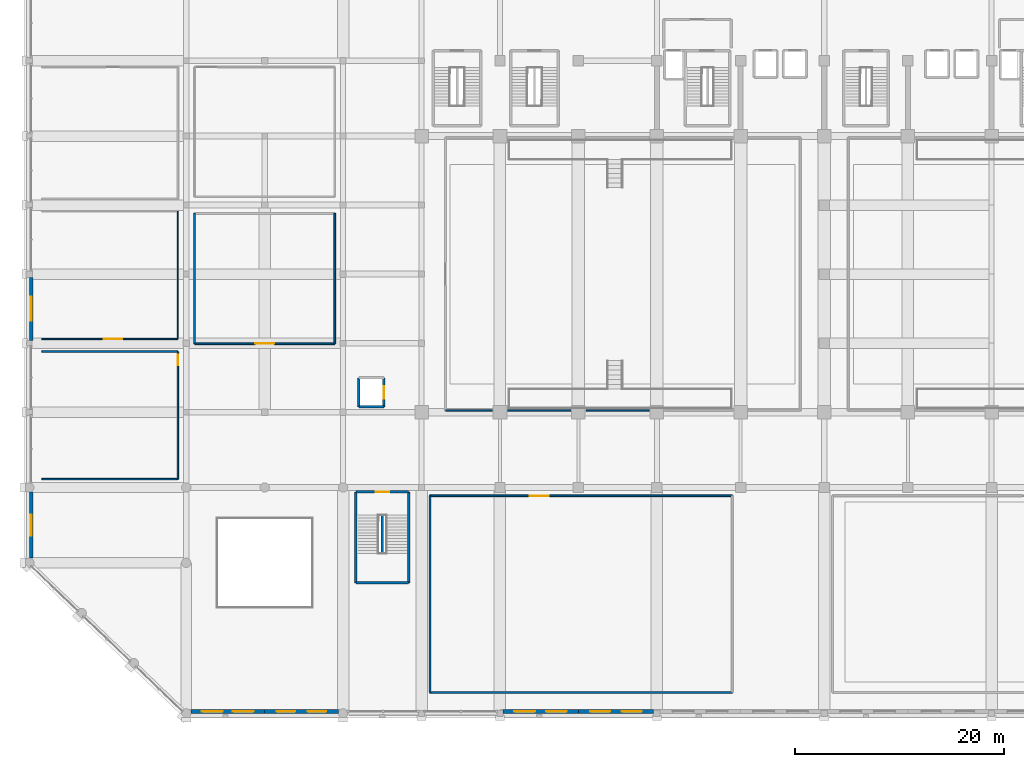
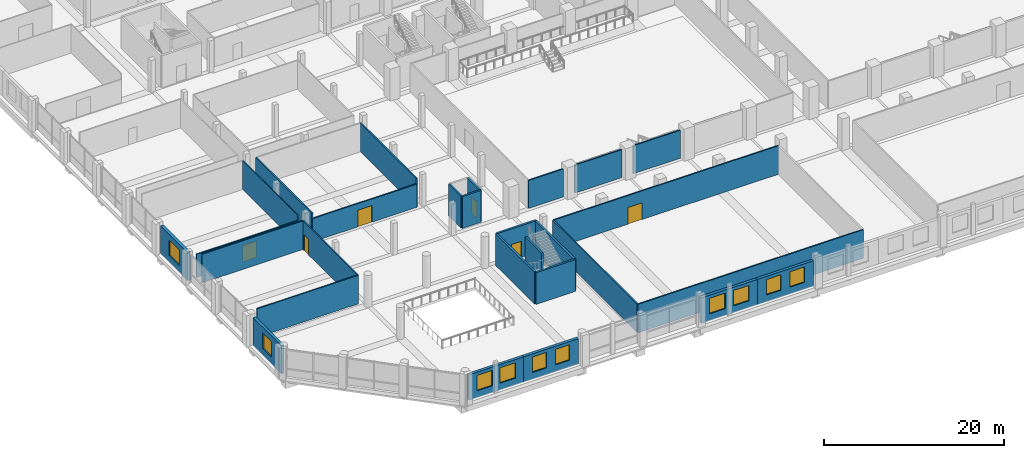
# One storey, part 42 of 68: 28 walls, 10 windows, 6 doors, 16 openings.
"""IFC4 building model written with IfcOpenShell, lengths in metres."""

from ifc_helpers import new_model, si_unit, direction, frame, frame_2d, origin, place, context, subcontext, project, spatial, rectangle, extrude, material, layer, layer_set, type_object, element, fill, save


model = new_model("IFC4")

# Units and contexts
model_context = context("Model", 3, precision=1e-05, world=origin(), true_north=direction((0.0, 1.0)))
body_context = subcontext(model_context, "Body", "Model", "MODEL_VIEW")
ifc_project = project(units=[si_unit("LENGTHUNIT", "METRE"), si_unit("AREAUNIT", "SQUARE_METRE"), si_unit("VOLUMEUNIT", "CUBIC_METRE"), si_unit("PLANEANGLEUNIT", "RADIAN"), si_unit("MASSUNIT", "GRAM", prefix="KILO")], contexts=[model_context])

# Site, building, storey
site_placement = place(None, origin())
site = spatial("IfcSite", under=ifc_project, at=site_placement, CompositionType="ELEMENT")
building_placement = place(site_placement, origin())
building = spatial("IfcBuilding", under=site, at=building_placement, Name="Akrevak Sports Hall", CompositionType="ELEMENT")
storey_placement = place(building_placement, frame((0.0, 0.0, 9.39990234375)))
storey = spatial("IfcBuildingStorey", under=building, at=storey_placement, Name="L02", CompositionType="ELEMENT", Elevation=9.39990234375)

# Wall, openings, windows
ifc_material_1 = material(Name="Limestone Ashlar", Category="stone")
ifc_layer_1 = layer(ifc_material_1, 0.080078125, Name="Limestone Ashlar")
ifc_material_2 = material(Name="Mineral Wool Thermal Insulation", Category="insulation")
ifc_layer_2 = layer(ifc_material_2, 0.10009765625, Name="Mineral Wool Thermal Insulation")
ifc_material_3 = material(Name="Concrete C40/50", Category="concrete")
ifc_layer_3 = layer(ifc_material_3, 0.179931640625, Name="Concrete C40/50")
ifc_layer_set_1 = layer_set([ifc_layer_1, ifc_layer_2, ifc_layer_3], Name="Limestone Ashlar / Mineral Wool Thermal Insulation / Concrete C40/50")
wall_type_1 = type_object("IfcWallType", Name="ARC-WL-EXT-360", PredefinedType="SOLIDWALL", material=ifc_layer_set_1)
wall_1_placement = place(storey_placement, frame((15.449951171875, 0.179931640625, 0.0), z_axis=(0.0, 0.0, 1.0), x_axis=(1.0, 0.0, 0.0)))
wall_1 = element("IfcWall", 1, at=wall_1_placement, inside=storey, type_object=wall_type_1, Name="Exterior Limestone Wall L02-S01", PredefinedType="SOLIDWALL", context=body_context, shape_type="SweptSolid", body=[
    extrude(rectangle(XDim=7.050048828125, YDim=0.360107421875, at=frame_2d((3.52490234375, 0.0))), origin(), (0.0, 0.0, 1.0), 3.4501953125),
])
opening_1_placement = place(wall_1_placement, frame((1.04443359375, 0.0, 0.919921875)))
opening_1 = element("IfcOpeningElement", 2, at=opening_1_placement, cuts=wall_1, Name="Opening WN-36", PredefinedType="OPENING", context=body_context, shape_type="SweptSolid", body=[
    extrude(rectangle(XDim=2.0, YDim=2.10009765625, at=frame_2d((1.0, 1.050048828125))), frame((0.0, 0.19189453125, 0.0), z_axis=(0.0, -1.0, 0.0), x_axis=(1.0, 0.0, 0.0)), (0.0, 0.0, 1.0), 0.384033203125),
])
opening_2_placement = place(wall_1_placement, frame((4.005615234375, 0.0, 0.919921875)))
opening_2 = element("IfcOpeningElement", 3, at=opening_2_placement, cuts=wall_1, Name="Opening WN-36", PredefinedType="OPENING", context=body_context, shape_type="SweptSolid", body=[
    extrude(rectangle(XDim=2.0, YDim=2.10009765625, at=frame_2d((1.0, 1.050048828125))), frame((0.0, 0.19189453125, 0.0), z_axis=(0.0, -1.0, 0.0), x_axis=(1.0, 0.0, 0.0)), (0.0, 0.0, 1.0), 0.384033203125),
])
ifc_material_4 = material(Name="Thermally Broken Bronze Frame & Double Low-E Glass", Category="glass")
window_type_1 = type_object("IfcWindowType", Name="ARC-WIN-SZ-2000x2100", PartitioningType="SINGLE_PANEL", PredefinedType="WINDOW", material=ifc_material_4)
window_1_placement = place(opening_1_placement, origin())
window_1 = element("IfcWindow", 4, at=window_1_placement, inside=storey, type_object=window_type_1, Name="Beaux-Arts Facade Window WIN-L02-S01-1", OverallHeight=2.10009765625, OverallWidth=2.0, PartitioningType="SINGLE_PANEL", PredefinedType="WINDOW", context=body_context, shape_type="SweptSolid", body=[
    extrude(rectangle(XDim=2.0, YDim=2.10009765625, at=frame_2d((1.0, 1.050048828125))), frame((0.0, 0.030029296875, 0.0), z_axis=(0.0, -1.0, 0.0), x_axis=(1.0, 0.0, 0.0)), (0.0, 0.0, 1.0), 0.06005859375),
])
fill(opening_1, window_1)
window_2_placement = place(opening_2_placement, origin())
window_2 = element("IfcWindow", 5, at=window_2_placement, inside=storey, type_object=window_type_1, Name="Beaux-Arts Facade Window WIN-L02-S01-2", OverallHeight=2.10009765625, OverallWidth=2.0, PartitioningType="SINGLE_PANEL", PredefinedType="WINDOW", context=body_context, shape_type="SweptSolid", body=[
    extrude(rectangle(XDim=2.0, YDim=2.10009765625, at=frame_2d((1.0, 1.050048828125))), frame((0.0, 0.030029296875, 0.0), z_axis=(0.0, -1.0, 0.0), x_axis=(1.0, 0.0, 0.0)), (0.0, 0.0, 1.0), 0.06005859375),
])
fill(opening_2, window_2)

wall_2_placement = place(storey_placement, frame((22.5, 0.179931640625, 0.0), z_axis=(0.0, 0.0, 1.0), x_axis=(1.0, 0.0, 0.0)))
wall_2 = element("IfcWall", 6, at=wall_2_placement, inside=storey, type_object=wall_type_1, Name="Exterior Limestone Wall L02-S02", PredefinedType="SOLIDWALL", context=body_context, shape_type="SweptSolid", body=[
    extrude(rectangle(XDim=7.050048828125, YDim=0.360107421875, at=frame_2d((3.52490234375, 0.0))), origin(), (0.0, 0.0, 1.0), 3.4501953125),
])
opening_3_placement = place(wall_2_placement, frame((1.14453125, 0.0, 0.919921875)))
opening_3 = element("IfcOpeningElement", 7, at=opening_3_placement, cuts=wall_2, Name="Opening WN-37", PredefinedType="OPENING", context=body_context, shape_type="SweptSolid", body=[
    extrude(rectangle(XDim=1.800048828125, YDim=2.10009765625, at=frame_2d((0.89990234375, 1.050048828125))), frame((0.0, 0.19189453125, 0.0), z_axis=(0.0, -1.0, 0.0), x_axis=(1.0, 0.0, 0.0)), (0.0, 0.0, 1.0), 0.384033203125),
])
opening_4_placement = place(wall_2_placement, frame((4.10546875, 0.0, 0.919921875)))
opening_4 = element("IfcOpeningElement", 8, at=opening_4_placement, cuts=wall_2, Name="Opening WN-37", PredefinedType="OPENING", context=body_context, shape_type="SweptSolid", body=[
    extrude(rectangle(XDim=1.800048828125, YDim=2.10009765625, at=frame_2d((0.89990234375, 1.050048828125))), frame((0.0, 0.19189453125, 0.0), z_axis=(0.0, -1.0, 0.0), x_axis=(1.0, 0.0, 0.0)), (0.0, 0.0, 1.0), 0.384033203125),
])
window_type_2 = type_object("IfcWindowType", Name="ARC-WIN-SZ-1800x2100", PartitioningType="SINGLE_PANEL", PredefinedType="WINDOW", material=ifc_material_4)
window_3_placement = place(opening_3_placement, origin())
window_3 = element("IfcWindow", 9, at=window_3_placement, inside=storey, type_object=window_type_2, Name="Beaux-Arts Facade Window WIN-L02-S02-1", OverallHeight=2.10009765625, OverallWidth=1.800048828125, PartitioningType="SINGLE_PANEL", PredefinedType="WINDOW", context=body_context, shape_type="SweptSolid", body=[
    extrude(rectangle(XDim=1.800048828125, YDim=2.10009765625, at=frame_2d((0.89990234375, 1.050048828125))), frame((0.0, 0.030029296875, 0.0), z_axis=(0.0, -1.0, 0.0), x_axis=(1.0, 0.0, 0.0)), (0.0, 0.0, 1.0), 0.06005859375),
])
fill(opening_3, window_3)
window_4_placement = place(opening_4_placement, origin())
window_4 = element("IfcWindow", 10, at=window_4_placement, inside=storey, type_object=window_type_2, Name="Beaux-Arts Facade Window WIN-L02-S02-2", OverallHeight=2.10009765625, OverallWidth=1.800048828125, PartitioningType="SINGLE_PANEL", PredefinedType="WINDOW", context=body_context, shape_type="SweptSolid", body=[
    extrude(rectangle(XDim=1.800048828125, YDim=2.10009765625, at=frame_2d((0.89990234375, 1.050048828125))), frame((0.0, 0.030029296875, 0.0), z_axis=(0.0, -1.0, 0.0), x_axis=(1.0, 0.0, 0.0)), (0.0, 0.0, 1.0), 0.06005859375),
])
fill(opening_4, window_4)

wall_3_placement = place(storey_placement, frame((45.27490234375, 0.179931640625, 0.0), z_axis=(0.0, 0.0, 1.0), x_axis=(1.0, 0.0, 0.0)))
wall_3 = element("IfcWall", 11, at=wall_3_placement, inside=storey, type_object=wall_type_1, Name="Exterior Limestone Wall L02-S05", PredefinedType="SOLIDWALL", context=body_context, shape_type="SweptSolid", body=[
    extrude(rectangle(XDim=7.22509765625, YDim=0.360107421875, at=frame_2d((3.612548828125, 0.0))), origin(), (0.0, 0.0, 1.0), 3.4501953125),
])
opening_5_placement = place(wall_3_placement, frame((1.09521484375, 0.0, 0.919921875)))
opening_5 = element("IfcOpeningElement", 12, at=opening_5_placement, cuts=wall_3, Name="Opening WN-36", PredefinedType="OPENING", context=body_context, shape_type="SweptSolid", body=[
    extrude(rectangle(XDim=2.0, YDim=2.10009765625, at=frame_2d((1.0, 1.050048828125))), frame((0.0, 0.19189453125, 0.0), z_axis=(0.0, -1.0, 0.0), x_axis=(1.0, 0.0, 0.0)), (0.0, 0.0, 1.0), 0.384033203125),
])
opening_6_placement = place(wall_3_placement, frame((4.1298828125, 0.0, 0.919921875)))
opening_6 = element("IfcOpeningElement", 13, at=opening_6_placement, cuts=wall_3, Name="Opening WN-36", PredefinedType="OPENING", context=body_context, shape_type="SweptSolid", body=[
    extrude(rectangle(XDim=2.0, YDim=2.10009765625, at=frame_2d((1.0, 1.050048828125))), frame((0.0, 0.19189453125, 0.0), z_axis=(0.0, -1.0, 0.0), x_axis=(1.0, 0.0, 0.0)), (0.0, 0.0, 1.0), 0.384033203125),
])
window_5_placement = place(opening_5_placement, origin())
window_5 = element("IfcWindow", 14, at=window_5_placement, inside=storey, type_object=window_type_1, Name="Beaux-Arts Facade Window WIN-L02-S05-1", OverallHeight=2.10009765625, OverallWidth=2.0, PartitioningType="SINGLE_PANEL", PredefinedType="WINDOW", context=body_context, shape_type="SweptSolid", body=[
    extrude(rectangle(XDim=2.0, YDim=2.10009765625, at=frame_2d((1.0, 1.050048828125))), frame((0.0, 0.030029296875, 0.0), z_axis=(0.0, -1.0, 0.0), x_axis=(1.0, 0.0, 0.0)), (0.0, 0.0, 1.0), 0.06005859375),
])
fill(opening_5, window_5)
window_6_placement = place(opening_6_placement, origin())
window_6 = element("IfcWindow", 15, at=window_6_placement, inside=storey, type_object=window_type_1, Name="Beaux-Arts Facade Window WIN-L02-S05-2", OverallHeight=2.10009765625, OverallWidth=2.0, PartitioningType="SINGLE_PANEL", PredefinedType="WINDOW", context=body_context, shape_type="SweptSolid", body=[
    extrude(rectangle(XDim=2.0, YDim=2.10009765625, at=frame_2d((1.0, 1.050048828125))), frame((0.0, 0.030029296875, 0.0), z_axis=(0.0, -1.0, 0.0), x_axis=(1.0, 0.0, 0.0)), (0.0, 0.0, 1.0), 0.06005859375),
])
fill(opening_6, window_6)

wall_4_placement = place(storey_placement, frame((52.5, 0.179931640625, 0.0), z_axis=(0.0, 0.0, 1.0), x_axis=(1.0, 0.0, 0.0)))
wall_4 = element("IfcWall", 16, at=wall_4_placement, inside=storey, type_object=wall_type_1, Name="Exterior Limestone Wall L02-S06", PredefinedType="SOLIDWALL", context=body_context, shape_type="SweptSolid", body=[
    extrude(rectangle(XDim=7.199951171875, YDim=0.360107421875, at=frame_2d((3.60009765625, 0.0))), origin(), (0.0, 0.0, 1.0), 3.4501953125),
])
opening_7_placement = place(wall_4_placement, frame((1.137939453125, 0.0, 0.919921875)))
opening_7 = element("IfcOpeningElement", 17, at=opening_7_placement, cuts=wall_4, Name="Opening WN-38", PredefinedType="OPENING", context=body_context, shape_type="SweptSolid", body=[
    extrude(rectangle(XDim=1.89990234375, YDim=2.10009765625, at=frame_2d((0.949951171875, 1.050048828125))), frame((0.0, 0.19189453125, 0.0), z_axis=(0.0, -1.0, 0.0), x_axis=(1.0, 0.0, 0.0)), (0.0, 0.0, 1.0), 0.384033203125),
])
opening_8_placement = place(wall_4_placement, frame((4.162109375, 0.0, 0.919921875)))
opening_8 = element("IfcOpeningElement", 18, at=opening_8_placement, cuts=wall_4, Name="Opening WN-38", PredefinedType="OPENING", context=body_context, shape_type="SweptSolid", body=[
    extrude(rectangle(XDim=1.89990234375, YDim=2.10009765625, at=frame_2d((0.949951171875, 1.050048828125))), frame((0.0, 0.19189453125, 0.0), z_axis=(0.0, -1.0, 0.0), x_axis=(1.0, 0.0, 0.0)), (0.0, 0.0, 1.0), 0.384033203125),
])
window_type_3 = type_object("IfcWindowType", Name="ARC-WIN-SZ-1900x2100", PartitioningType="SINGLE_PANEL", PredefinedType="WINDOW", material=ifc_material_4)
window_7_placement = place(opening_7_placement, origin())
window_7 = element("IfcWindow", 19, at=window_7_placement, inside=storey, type_object=window_type_3, Name="Beaux-Arts Facade Window WIN-L02-S06-1", OverallHeight=2.10009765625, OverallWidth=1.89990234375, PartitioningType="SINGLE_PANEL", PredefinedType="WINDOW", context=body_context, shape_type="SweptSolid", body=[
    extrude(rectangle(XDim=1.89990234375, YDim=2.10009765625, at=frame_2d((0.949951171875, 1.050048828125))), frame((0.0, 0.030029296875, 0.0), z_axis=(0.0, -1.0, 0.0), x_axis=(1.0, 0.0, 0.0)), (0.0, 0.0, 1.0), 0.06005859375),
])
fill(opening_7, window_7)
window_8_placement = place(opening_8_placement, origin())
window_8 = element("IfcWindow", 20, at=window_8_placement, inside=storey, type_object=window_type_3, Name="Beaux-Arts Facade Window WIN-L02-S06-2", OverallHeight=2.10009765625, OverallWidth=1.89990234375, PartitioningType="SINGLE_PANEL", PredefinedType="WINDOW", context=body_context, shape_type="SweptSolid", body=[
    extrude(rectangle(XDim=1.89990234375, YDim=2.10009765625, at=frame_2d((0.949951171875, 1.050048828125))), frame((0.0, 0.030029296875, 0.0), z_axis=(0.0, -1.0, 0.0), x_axis=(1.0, 0.0, 0.0)), (0.0, 0.0, 1.0), 0.06005859375),
])
fill(opening_8, window_8)

# Wall, opening, window
wall_5_placement = place(storey_placement, frame((0.179931640625, 21.14990234375, 0.0), z_axis=(0.0, 0.0, 1.0), x_axis=(0.0, -1.0, 0.0)))
wall_5 = element("IfcWall", 21, at=wall_5_placement, inside=storey, type_object=wall_type_1, Name="Exterior Limestone Wall L02-W01", PredefinedType="SOLIDWALL", context=body_context, shape_type="SweptSolid", body=[
    extrude(rectangle(XDim=6.2998046875, YDim=0.360107421875, at=frame_2d((3.14990234375, 0.0))), origin(), (0.0, 0.0, 1.0), 3.820068359375),
])
opening_9_placement = place(wall_5_placement, frame((2.14990234375, 0.0, 0.919921875)))
opening_9 = element("IfcOpeningElement", 22, at=opening_9_placement, cuts=wall_5, Name="Opening WN-36", PredefinedType="OPENING", context=body_context, shape_type="SweptSolid", body=[
    extrude(rectangle(XDim=2.0, YDim=2.10009765625, at=frame_2d((1.0, 1.050048828125))), frame((0.0, 0.19189453125, 0.0), z_axis=(0.0, -1.0, 0.0), x_axis=(1.0, 0.0, 0.0)), (0.0, 0.0, 1.0), 0.384033203125),
])
window_9_placement = place(opening_9_placement, origin())
window_9 = element("IfcWindow", 23, at=window_9_placement, inside=storey, type_object=window_type_1, Name="Beaux-Arts Facade Window WIN-L02-W01", OverallHeight=2.10009765625, OverallWidth=2.0, PartitioningType="SINGLE_PANEL", PredefinedType="WINDOW", context=body_context, shape_type="SweptSolid", body=[
    extrude(rectangle(XDim=2.0, YDim=2.10009765625, at=frame_2d((1.0, 1.050048828125))), frame((0.0, 0.030029296875, 0.0), z_axis=(0.0, -1.0, 0.0), x_axis=(1.0, 0.0, 0.0)), (0.0, 0.0, 1.0), 0.06005859375),
])
fill(opening_9, window_9)

wall_6_placement = place(storey_placement, frame((0.179931640625, 41.699951171875, 0.0), z_axis=(0.0, 0.0, 1.0), x_axis=(0.0, -1.0, 0.0)))
wall_6 = element("IfcWall", 24, at=wall_6_placement, inside=storey, type_object=wall_type_1, Name="Exterior Limestone Wall L02-W04", PredefinedType="SOLIDWALL", context=body_context, shape_type="SweptSolid", body=[
    extrude(rectangle(XDim=6.02490234375, YDim=0.360107421875, at=frame_2d((3.012451171875, 0.0))), origin(), (0.0, 0.0, 1.0), 3.820068359375),
])
opening_10_placement = place(wall_6_placement, frame((1.862548828125, 0.0, 0.919921875)))
opening_10 = element("IfcOpeningElement", 25, at=opening_10_placement, cuts=wall_6, Name="Opening WN-39", PredefinedType="OPENING", context=body_context, shape_type="SweptSolid", body=[
    extrude(rectangle(XDim=2.300048828125, YDim=2.10009765625, at=frame_2d((1.14990234375, 1.050048828125))), frame((0.0, 0.19189453125, 0.0), z_axis=(0.0, -1.0, 0.0), x_axis=(1.0, 0.0, 0.0)), (0.0, 0.0, 1.0), 0.384033203125),
])
window_type_4 = type_object("IfcWindowType", Name="ARC-WIN-SZ-2300x2100", PartitioningType="SINGLE_PANEL", PredefinedType="WINDOW", material=ifc_material_4)
window_10_placement = place(opening_10_placement, origin())
window_10 = element("IfcWindow", 26, at=window_10_placement, inside=storey, type_object=window_type_4, Name="Beaux-Arts Facade Window WIN-L02-W04", OverallHeight=2.10009765625, OverallWidth=2.300048828125, PartitioningType="SINGLE_PANEL", PredefinedType="WINDOW", context=body_context, shape_type="SweptSolid", body=[
    extrude(rectangle(XDim=2.300048828125, YDim=2.10009765625, at=frame_2d((1.14990234375, 1.050048828125))), frame((0.0, 0.030029296875, 0.0), z_axis=(0.0, -1.0, 0.0), x_axis=(1.0, 0.0, 0.0)), (0.0, 0.0, 1.0), 0.06005859375),
])
fill(opening_10, window_10)

# Wall, opening, door
ifc_material_5 = material(Name="Lightweight Office Partition", Category="gypsum")
ifc_layer_4 = layer(ifc_material_5, 0.110107421875, Name="Lightweight Office Partition")
ifc_layer_set_2 = layer_set([ifc_layer_4], Name="Lightweight Office Partition")
wall_type_2 = type_object("IfcWallType", Name="ARC-WL-PRT-110", PredefinedType="PARTITIONING", material=ifc_layer_set_2)
wall_7_placement = place(storey_placement, frame((1.199951171875, 35.800048828125, 0.0), z_axis=(0.0, 0.0, 1.0), x_axis=(1.0, 0.0, 0.0)))
wall_7 = element("IfcWall", 27, at=wall_7_placement, inside=storey, type_object=wall_type_2, Name="Interior Partition West Boulevard Equipment Storage L02-1 (S)", PredefinedType="PARTITIONING", context=body_context, shape_type="SweptSolid", body=[
    extrude(rectangle(XDim=13.0, YDim=0.110107421875, at=frame_2d((6.5, 0.0))), origin(), (0.0, 0.0, 1.0), 3.150146484375),
])
opening_11_placement = place(wall_7_placement, frame((5.89990234375, 0.0, 0.0)))
opening_11 = element("IfcOpeningElement", 28, at=opening_11_placement, cuts=wall_7, Name="Opening ID-02", PredefinedType="OPENING", context=body_context, shape_type="SweptSolid", body=[
    extrude(rectangle(XDim=1.800048828125, YDim=2.25, at=frame_2d((0.89990234375, 1.125))), frame((0.0, 0.06689453125, 0.0), z_axis=(0.0, -1.0, 0.0), x_axis=(1.0, 0.0, 0.0)), (0.0, 0.0, 1.0), 0.134033203125),
])
ifc_material_6 = material(Name="Hardwood Oak & Safety Glass", Category="wood")
door_type_1 = type_object("IfcDoorType", Name="ARC-DR-HALL-180x225", OperationType="DOUBLE_DOOR_SINGLE_SWING", PredefinedType="DOOR", material=ifc_material_6)
door_1_placement = place(opening_11_placement, origin())
door_1 = element("IfcDoor", 29, at=door_1_placement, inside=storey, type_object=door_type_1, Name="Door to West Boulevard Equipment Storage L02-1", OperationType="DOUBLE_DOOR_SINGLE_SWING", OverallHeight=2.25, OverallWidth=1.800048828125, PredefinedType="DOOR", context=body_context, shape_type="SweptSolid", body=[
    extrude(rectangle(XDim=1.800048828125, YDim=2.25, at=frame_2d((0.89990234375, 1.125))), frame((0.0, 0.02490234375, 0.0), z_axis=(0.0, -1.0, 0.0), x_axis=(1.0, 0.0, 0.0)), (0.0, 0.0, 1.0), 0.050048828125),
])
fill(opening_11, door_1)

# Walls
wall_8_placement = place(storey_placement, frame((14.199951171875, 35.800048828125, 0.0), z_axis=(0.0, 0.0, 1.0), x_axis=(0.0, 1.0, 0.0)))
element("IfcWall", 30, at=wall_8_placement, inside=storey, type_object=wall_type_2, Name="Interior Partition West Boulevard Equipment Storage L02-1 (E)", PredefinedType="PARTITIONING", context=body_context, shape_type="SweptSolid", body=[
    extrude(rectangle(XDim=12.199951171875, YDim=0.110107421875, at=frame_2d((6.10009765625, 0.0))), origin(), (0.0, 0.0, 1.0), 3.880126953125),
])
ifc_material_7 = material(Name="Double Stud Acoustic Gypsum Partition", Category="gypsum")
ifc_layer_5 = layer(ifc_material_7, 0.14990234375, Name="Double Stud Acoustic Gypsum Partition")
ifc_layer_set_3 = layer_set([ifc_layer_5], Name="Double Stud Acoustic Gypsum Partition")
wall_type_3 = type_object("IfcWallType", Name="ARC-WL-PRT-150", PredefinedType="PARTITIONING", material=ifc_layer_set_3)
for number, where, z_axis, x_axis, name in (
    (31, (1.199951171875, 22.39990234375, 0.0), (0.0, 0.0, 1.0), (1.0, 0.0, 0.0), "Interior Partition West Boulevard Federation Office L02-1 (S)"),
    (32, (1.199951171875, 34.60009765625, 0.0), (0.0, 0.0, 1.0), (1.0, 0.0, 0.0), "Interior Partition West Boulevard Federation Office L02-1 (N)"),
):
    element("IfcWall", number, at=place(storey_placement, frame(where, z_axis=z_axis, x_axis=x_axis)), inside=storey, type_object=wall_type_3, Name=name, PredefinedType="PARTITIONING", context=body_context, shape_type="SweptSolid", body=[
        extrude(rectangle(XDim=13.0, YDim=0.14990234375, at=frame_2d((6.5, 0.0))), origin(), (0.0, 0.0, 1.0), 3.880126953125),
    ])

# Wall, opening, door
wall_9_placement = place(storey_placement, frame((14.199951171875, 22.39990234375, 0.0), z_axis=(0.0, 0.0, 1.0), x_axis=(0.0, 1.0, 0.0)))
wall_9 = element("IfcWall", 33, at=wall_9_placement, inside=storey, type_object=wall_type_3, Name="Interior Partition West Boulevard Federation Office L02-1 (E)", PredefinedType="PARTITIONING", context=body_context, shape_type="SweptSolid", body=[
    extrude(rectangle(XDim=12.2001953125, YDim=0.14990234375, at=frame_2d((6.10009765625, 0.0))), origin(), (0.0, 0.0, 1.0), 3.880126953125),
])
opening_12_placement = place(wall_9_placement, frame((10.89990234375, 0.0, 0.0)))
opening_12 = element("IfcOpeningElement", 34, at=opening_12_placement, cuts=wall_9, Name="Opening ID-06", PredefinedType="OPENING", context=body_context, shape_type="SweptSolid", body=[
    extrude(rectangle(XDim=1.0, YDim=2.14990234375, at=frame_2d((0.5, 1.074951171875))), frame((0.0, 0.0869140625, 0.0), z_axis=(0.0, -1.0, 0.0), x_axis=(1.0, 0.0, 0.0)), (0.0, 0.0, 1.0), 0.173828125),
])
ifc_material_8 = material(Name="Hardwood Oak Acoustic Leaf", Category="wood")
door_type_2 = type_object("IfcDoorType", Name="ARC-DR-OFF-100x215", OperationType="NOTDEFINED", PredefinedType="DOOR", material=ifc_material_8)
door_2_placement = place(opening_12_placement, origin())
door_2 = element("IfcDoor", 35, at=door_2_placement, inside=storey, type_object=door_type_2, Name="Door to West Boulevard Federation Office L02-1", OperationType="SINGLE_SWING_LEFT", OverallHeight=2.14990234375, OverallWidth=1.0, PredefinedType="DOOR", context=body_context, shape_type="SweptSolid", body=[
    extrude(rectangle(XDim=1.0, YDim=2.14990234375, at=frame_2d((0.5, 1.074951171875))), frame((0.0, 0.02490234375, 0.0), z_axis=(0.0, -1.0, 0.0), x_axis=(1.0, 0.0, 0.0)), (0.0, 0.0, 1.0), 0.050048828125),
])
fill(opening_12, door_2)

# Walls
ifc_material_9 = material(Name="Double Stud Fireboard Partition", Category="gypsum")
ifc_layer_6 = layer(ifc_material_9, 0.1650390625, Name="Double Stud Fireboard Partition")
ifc_layer_set_4 = layer_set([ifc_layer_6], Name="Double Stud Fireboard Partition")
wall_type_4 = type_object("IfcWallType", Name="ARC-WL-PRT-165", PredefinedType="PARTITIONING", material=ifc_layer_set_4)
wall_10_placement = place(storey_placement, frame((39.800048828125, 28.949951171875, 0.0), z_axis=(0.0, 0.0, 1.0), x_axis=(1.0, 0.0, 0.0)))
element("IfcWall", 36, at=wall_10_placement, inside=storey, type_object=wall_type_4, Name="Interior Partition Sports Hall 2 - Basketball Court (S) Segment 1", PredefinedType="PARTITIONING", context=body_context, shape_type="SweptSolid", body=[
    extrude(rectangle(XDim=4.469970703125, YDim=0.1650390625, at=frame_2d((2.23486328125, 0.0))), origin(), (0.0, 0.0, 1.0), 3.800048828125),
])
for number, where, z_axis, x_axis, name in (
    (37, (45.72998046875, 28.949951171875, 0.0), (0.0, 0.0, 1.0), (1.0, 0.0, 0.0), "Interior Partition Sports Hall 2 - Basketball Court (S) Segment 2"),
    (38, (53.22998046875, 28.949951171875, 0.0), (0.0, 0.0, 1.0), (1.0, 0.0, 0.0), "Interior Partition Sports Hall 2 - Basketball Court (S) Segment 3"),
):
    element("IfcWall", number, at=place(storey_placement, frame(where, z_axis=z_axis, x_axis=x_axis)), inside=storey, type_object=wall_type_4, Name=name, PredefinedType="PARTITIONING", context=body_context, shape_type="SweptSolid", body=[
        extrude(rectangle(XDim=6.0400390625, YDim=0.1650390625, at=frame_2d((3.02001953125, 0.0))), origin(), (0.0, 0.0, 1.0), 3.800048828125),
    ])
wall_11_placement = place(storey_placement, frame((38.300048828125, 2.0, 0.0), z_axis=(0.0, 0.0, 1.0), x_axis=(1.0, 0.0, 0.0)))
element("IfcWall", 39, at=wall_11_placement, inside=storey, type_object=wall_type_4, Name="Interior Partition Fitness Studio 4 - Combat & Fencing (S)", PredefinedType="PARTITIONING", context=body_context, shape_type="SweptSolid", body=[
    extrude(rectangle(XDim=28.89990234375, YDim=0.1650390625, at=frame_2d((14.449951171875, 0.0))), origin(), (0.0, 0.0, 1.0), 3.880126953125),
])

# Wall, opening, door
wall_12_placement = place(storey_placement, frame((38.300048828125, 20.800048828125, 0.0), z_axis=(0.0, 0.0, 1.0), x_axis=(1.0, 0.0, 0.0)))
wall_12 = element("IfcWall", 40, at=wall_12_placement, inside=storey, type_object=wall_type_4, Name="Interior Partition Fitness Studio 4 - Combat & Fencing (N)", PredefinedType="PARTITIONING", context=body_context, shape_type="SweptSolid", body=[
    extrude(rectangle(XDim=28.89990234375, YDim=0.1650390625, at=frame_2d((14.449951171875, 0.0))), origin(), (0.0, 0.0, 1.0), 3.880126953125),
])
opening_13_placement = place(wall_12_placement, frame((9.550048828125, 0.0, 0.0)))
opening_13 = element("IfcOpeningElement", 41, at=opening_13_placement, cuts=wall_12, Name="Opening ID-02", PredefinedType="OPENING", context=body_context, shape_type="SweptSolid", body=[
    extrude(rectangle(XDim=1.800048828125, YDim=2.25, at=frame_2d((0.89990234375, 1.125))), frame((0.0, 0.094482421875, 0.0), z_axis=(0.0, -1.0, 0.0), x_axis=(1.0, 0.0, 0.0)), (0.0, 0.0, 1.0), 0.18896484375),
])
door_3_placement = place(opening_13_placement, origin())
door_3 = element("IfcDoor", 42, at=door_3_placement, inside=storey, type_object=door_type_1, Name="Door to Fitness Studio 4 - Combat & Fencing", OperationType="DOUBLE_DOOR_SINGLE_SWING", OverallHeight=2.25, OverallWidth=1.800048828125, PredefinedType="DOOR", context=body_context, shape_type="SweptSolid", body=[
    extrude(rectangle(XDim=1.800048828125, YDim=2.25, at=frame_2d((0.89990234375, 1.125))), frame((0.0, 0.02490234375, 0.0), z_axis=(0.0, -1.0, 0.0), x_axis=(1.0, 0.0, 0.0)), (0.0, 0.0, 1.0), 0.050048828125),
])
fill(opening_13, door_3)

# Wall
wall_13_placement = place(storey_placement, frame((38.300048828125, 2.0, 0.0), z_axis=(0.0, 0.0, 1.0), x_axis=(0.0, 1.0, 0.0)))
element("IfcWall", 43, at=wall_13_placement, inside=storey, type_object=wall_type_4, Name="Interior Partition Fitness Studio 4 - Combat & Fencing (W)", PredefinedType="PARTITIONING", context=body_context, shape_type="SweptSolid", body=[
    extrude(rectangle(XDim=18.800048828125, YDim=0.1650390625, at=frame_2d((9.39990234375, 0.0))), origin(), (0.0, 0.0, 1.0), 3.880126953125),
])

# Wall, opening, door
wall_14_placement = place(storey_placement, frame((15.800048828125, 35.35009765625, 0.0), z_axis=(0.0, 0.0, 1.0), x_axis=(1.0, 0.0, 0.0)))
wall_14 = element("IfcWall", 44, at=wall_14_placement, inside=storey, type_object=wall_type_4, Name="Interior Partition West Wing Athletic Conditioning Studio L02 (S)", PredefinedType="PARTITIONING", context=body_context, shape_type="SweptSolid", body=[
    extrude(rectangle(XDim=13.39990234375, YDim=0.1650390625, at=frame_2d((6.699951171875, 0.0))), origin(), (0.0, 0.0, 1.0), 3.150146484375),
])
opening_14_placement = place(wall_14_placement, frame((5.800048828125, 0.0, 0.0)))
opening_14 = element("IfcOpeningElement", 45, at=opening_14_placement, cuts=wall_14, Name="Opening ID-02", PredefinedType="OPENING", context=body_context, shape_type="SweptSolid", body=[
    extrude(rectangle(XDim=1.800048828125, YDim=2.25, at=frame_2d((0.89990234375, 1.125))), frame((0.0, 0.094482421875, 0.0), z_axis=(0.0, -1.0, 0.0), x_axis=(1.0, 0.0, 0.0)), (0.0, 0.0, 1.0), 0.18896484375),
])
door_4_placement = place(opening_14_placement, frame((1.800048828125, 0.0, 0.0), z_axis=(0.0, 0.0, 1.0), x_axis=(-1.0, 0.0, 0.0)))
door_4 = element("IfcDoor", 46, at=door_4_placement, inside=storey, type_object=door_type_1, Name="Door to West Wing Athletic Conditioning Studio L02", OperationType="DOUBLE_DOOR_SINGLE_SWING", OverallHeight=2.25, OverallWidth=1.800048828125, PredefinedType="DOOR", context=body_context, shape_type="SweptSolid", body=[
    extrude(rectangle(XDim=1.800048828125, YDim=2.25, at=frame_2d((0.89990234375, 1.125))), frame((0.0, 0.02490234375, 0.0), z_axis=(0.0, -1.0, 0.0), x_axis=(1.0, 0.0, 0.0)), (0.0, 0.0, 1.0), 0.050048828125),
])
fill(opening_14, door_4)

# Walls
for number, where, z_axis, x_axis, name in (
    (47, (15.800048828125, 35.35009765625, 0.0), (0.0, 0.0, 1.0), (0.0, 1.0, 0.0), "Interior Partition West Wing Athletic Conditioning Studio L02 (W)"),
    (48, (29.199951171875, 35.35009765625, 0.0), (0.0, 0.0, 1.0), (0.0, 1.0, 0.0), "Interior Partition West Wing Athletic Conditioning Studio L02 (E)"),
):
    element("IfcWall", number, at=place(storey_placement, frame(where, z_axis=z_axis, x_axis=x_axis)), inside=storey, type_object=wall_type_4, Name=name, PredefinedType="PARTITIONING", context=body_context, shape_type="SweptSolid", body=[
        extrude(rectangle(XDim=12.449951171875, YDim=0.1650390625, at=frame_2d((6.22509765625, 0.0))), origin(), (0.0, 0.0, 1.0), 3.880126953125),
    ])
ifc_layer_7 = layer(ifc_material_3, 0.219970703125, Name="Concrete C40/50")
ifc_layer_set_5 = layer_set([ifc_layer_7], Name="Concrete C40/50")
wall_type_5 = type_object("IfcWallType", Name="ARC-WL-PRT-220", PredefinedType="PARTITIONING", material=ifc_layer_set_5)
wall_15_placement = place(storey_placement, frame((33.75, 15.31005859375, 0.0), z_axis=(0.0, 0.0, 1.0), x_axis=(0.0, 1.0, 0.0)))
element("IfcWall", 49, at=wall_15_placement, inside=storey, type_object=wall_type_5, Name="Stair ST5 Central Spine Wall (L02)", PredefinedType="PARTITIONING", context=body_context, shape_type="SweptSolid", body=[
    extrude(rectangle(XDim=3.639892578125, YDim=0.219970703125, at=frame_2d((1.81982421875, 0.0))), origin(), (0.0, 0.0, 1.0), 4.320068359375),
])
ifc_material_10 = material(Name="Concrete C50/60", Category="concrete")
ifc_layer_8 = layer(ifc_material_10, 0.219970703125, Name="Concrete C50/60")
ifc_layer_set_6 = layer_set([ifc_layer_8], Name="Concrete C50/60")
wall_type_6 = type_object("IfcWallType", Name="ARC-WL-SHAFT-220", PredefinedType="SHEAR", material=ifc_layer_set_6)
wall_16_placement = place(storey_placement, frame((31.510009765625, 29.31005859375, 0.0), z_axis=(0.0, 0.0, 1.0), x_axis=(1.0, 0.0, 0.0)))
element("IfcWall", 50, at=wall_16_placement, inside=storey, type_object=wall_type_6, Name="Lift Shaft LF-G1 Wall S (L02)", PredefinedType="SHEAR", context=body_context, shape_type="SweptSolid", body=[
    extrude(rectangle(XDim=2.3798828125, YDim=0.219970703125, at=frame_2d((1.18994140625, 0.0))), origin(), (0.0, 0.0, 1.0), 4.320068359375),
])
wall_17_placement = place(storey_placement, frame((31.510009765625, 32.090087890625, 0.0), z_axis=(0.0, 0.0, 1.0), x_axis=(0.0, -1.0, 0.0)))
element("IfcWall", 51, at=wall_17_placement, inside=storey, type_object=wall_type_6, Name="Lift Shaft LF-G1 Wall W (L02)", PredefinedType="SHEAR", context=body_context, shape_type="SweptSolid", body=[
    extrude(rectangle(XDim=2.780029296875, YDim=0.219970703125, at=frame_2d((1.39013671875, 0.0))), origin(), (0.0, 0.0, 1.0), 4.320068359375),
])

# Wall, opening, door
wall_18_placement = place(storey_placement, frame((33.889892578125, 29.31005859375, 0.0), z_axis=(0.0, 0.0, 1.0), x_axis=(0.0, 1.0, 0.0)))
wall_18 = element("IfcWall", 52, at=wall_18_placement, inside=storey, type_object=wall_type_6, Name="Lift Shaft LF-G1 Wall E (L02)", PredefinedType="SHEAR", context=body_context, shape_type="SweptSolid", body=[
    extrude(rectangle(XDim=2.780029296875, YDim=0.219970703125, at=frame_2d((1.39013671875, 0.0))), origin(), (0.0, 0.0, 1.0), 4.320068359375),
])
opening_15_placement = place(wall_18_placement, frame((0.7900390625, 0.0, 0.0)))
opening_15 = element("IfcOpeningElement", 53, at=opening_15_placement, cuts=wall_18, Name="Opening LD-02", PredefinedType="OPENING", context=body_context, shape_type="SweptSolid", body=[
    extrude(rectangle(XDim=1.199951171875, YDim=2.199951171875, at=frame_2d((0.60009765625, 1.10009765625))), frame((0.0, 0.1220703125, 0.0), z_axis=(0.0, -1.0, 0.0), x_axis=(1.0, 0.0, 0.0)), (0.0, 0.0, 1.0), 0.243896484375),
])
ifc_material_11 = material(Name="Brushed Stainless Steel 304", Category="steel")
door_type_3 = type_object("IfcDoorType", Name="ARC-DR-LD-120x220", OperationType="SLIDING_TO_RIGHT", PredefinedType="DOOR", material=ifc_material_11)
door_5_placement = place(opening_15_placement, origin())
door_5 = element("IfcDoor", 54, at=door_5_placement, inside=storey, type_object=door_type_3, Name="Lift LF-G1 Sliding Landing Door (L02)", OperationType="SLIDING_TO_LEFT", OverallHeight=2.199951171875, OverallWidth=1.199951171875, PredefinedType="DOOR", context=body_context, shape_type="SweptSolid", body=[
    extrude(rectangle(XDim=1.199951171875, YDim=2.199951171875, at=frame_2d((0.60009765625, 1.10009765625))), frame((0.0, 0.02490234375, 0.0), z_axis=(0.0, -1.0, 0.0), x_axis=(1.0, 0.0, 0.0)), (0.0, 0.0, 1.0), 0.050048828125),
])
fill(opening_15, door_5)

# Wall
ifc_layer_9 = layer(ifc_material_10, 0.25, Name="Concrete C50/60")
ifc_layer_set_7 = layer_set([ifc_layer_9], Name="Concrete C50/60")
wall_type_7 = type_object("IfcWallType", Name="STR-WL-STAIR-250", PredefinedType="SHEAR", material=ifc_layer_set_7)
wall_19_placement = place(storey_placement, frame((31.22509765625, 12.47509765625, 0.0), z_axis=(0.0, 0.0, 1.0), x_axis=(1.0, 0.0, 0.0)))
element("IfcWall", 55, at=wall_19_placement, inside=storey, type_object=wall_type_7, Name="Stair Core ST5 Shear Wall S (L02)", PredefinedType="SHEAR", context=body_context, shape_type="SweptSolid", body=[
    extrude(rectangle(XDim=5.0498046875, YDim=0.25, at=frame_2d((2.52490234375, 0.0))), origin(), (0.0, 0.0, 1.0), 4.320068359375),
])

# Wall, opening, door
wall_20_placement = place(storey_placement, frame((36.27490234375, 21.175048828125, 0.0), z_axis=(0.0, 0.0, 1.0), x_axis=(-1.0, 0.0, 0.0)))
wall_20 = element("IfcWall", 56, at=wall_20_placement, inside=storey, type_object=wall_type_7, Name="Stair Core ST5 Shear Wall N (L02)", PredefinedType="SHEAR", context=body_context, shape_type="SweptSolid", body=[
    extrude(rectangle(XDim=5.0498046875, YDim=0.25, at=frame_2d((2.52490234375, 0.0))), origin(), (0.0, 0.0, 1.0), 4.320068359375),
])
opening_16_placement = place(wall_20_placement, frame((1.875, 0.0, 0.0)))
opening_16 = element("IfcOpeningElement", 57, at=opening_16_placement, cuts=wall_20, Name="Opening SD-01", PredefinedType="OPENING", context=body_context, shape_type="SweptSolid", body=[
    extrude(rectangle(XDim=1.300048828125, YDim=2.199951171875, at=frame_2d((0.64990234375, 1.10009765625))), frame((0.0, 0.136962890625, 0.0), z_axis=(0.0, -1.0, 0.0), x_axis=(1.0, 0.0, 0.0)), (0.0, 0.0, 1.0), 0.27392578125),
])
ifc_material_12 = material(Name="Fire-Rated Galvanized Door Steel", Category="steel")
door_type_4 = type_object("IfcDoorType", Name="ARC-DR-STAIR-130x220", OperationType="NOTDEFINED", PredefinedType="DOOR", material=ifc_material_12)
door_6_placement = place(opening_16_placement, origin())
door_6 = element("IfcDoor", 58, at=door_6_placement, inside=storey, type_object=door_type_4, Name="Exit Stair ST5 Door (L02)", OperationType="SINGLE_SWING_RIGHT", OverallHeight=2.199951171875, OverallWidth=1.300048828125, PredefinedType="DOOR", context=body_context, shape_type="SweptSolid", body=[
    extrude(rectangle(XDim=1.300048828125, YDim=2.199951171875, at=frame_2d((0.64990234375, 1.10009765625))), frame((0.0, 0.02490234375, 0.0), z_axis=(0.0, -1.0, 0.0), x_axis=(1.0, 0.0, 0.0)), (0.0, 0.0, 1.0), 0.050048828125),
])
fill(opening_16, door_6)

# Walls
for number, where, z_axis, x_axis, name in (
    (59, (31.22509765625, 21.175048828125, 0.0), (0.0, 0.0, 1.0), (0.0, -1.0, 0.0), "Stair Core ST5 Shear Wall W (L02)"),
    (60, (36.27490234375, 12.47509765625, 0.0), (0.0, 0.0, 1.0), (0.0, 1.0, 0.0), "Stair Core ST5 Shear Wall E (L02)"),
):
    element("IfcWall", number, at=place(storey_placement, frame(where, z_axis=z_axis, x_axis=x_axis)), inside=storey, type_object=wall_type_7, Name=name, PredefinedType="SHEAR", context=body_context, shape_type="SweptSolid", body=[
        extrude(rectangle(XDim=8.699951171875, YDim=0.25, at=frame_2d((4.35009765625, 0.0))), origin(), (0.0, 0.0, 1.0), 4.320068359375),
    ])

save(model, "model.ifc")
